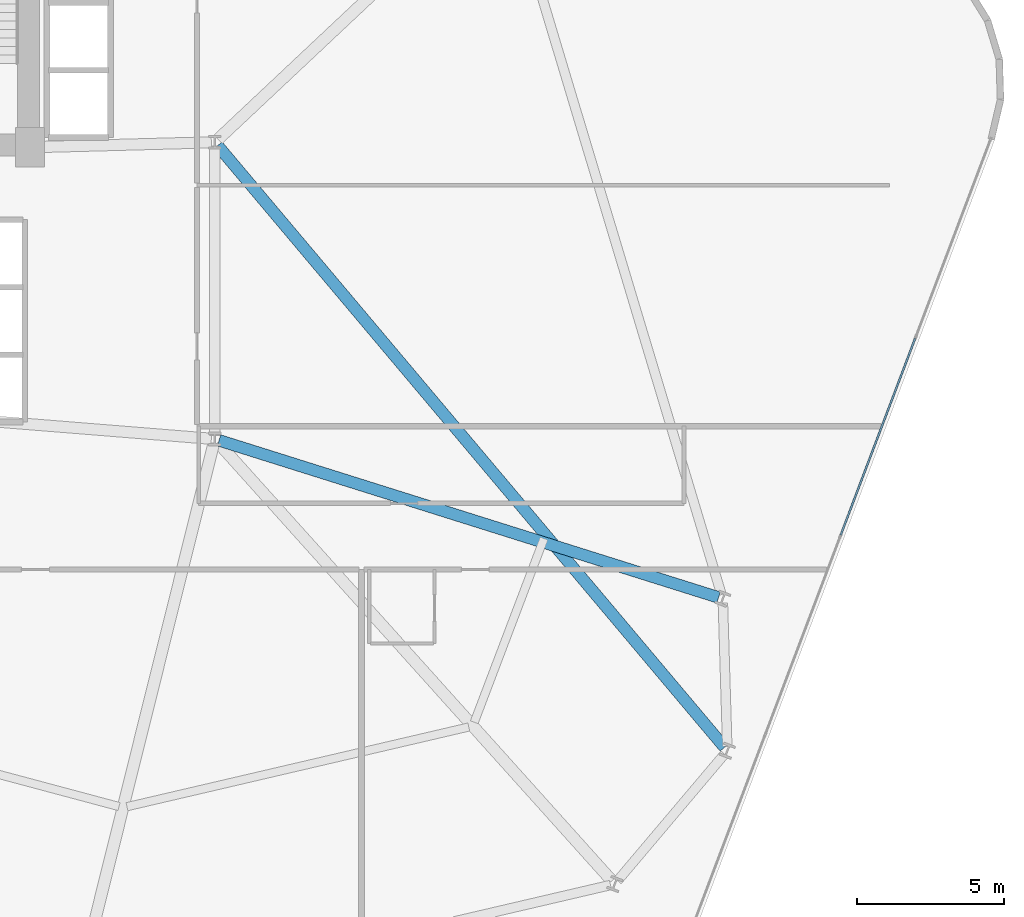
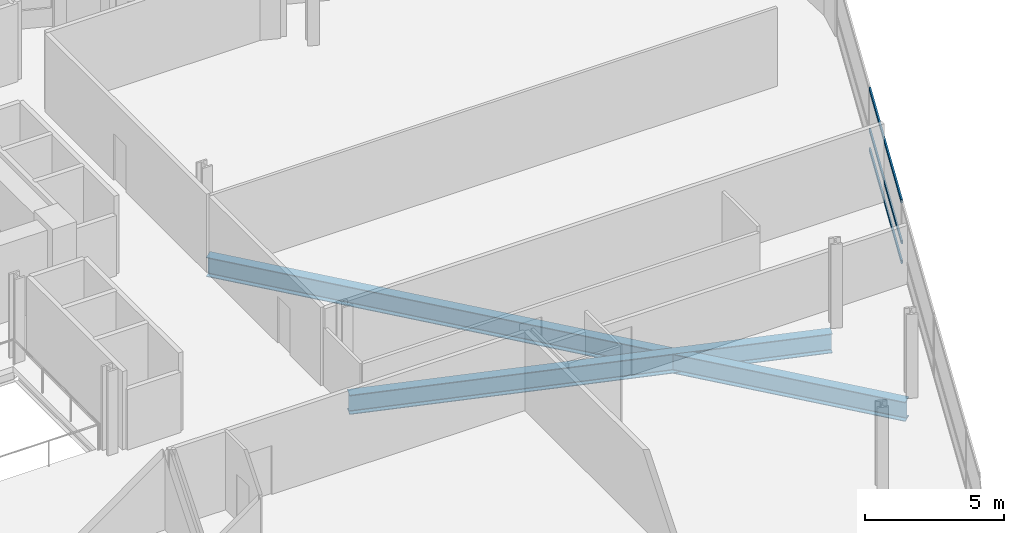
# One storey, part 12 of 24: 3 members, 2 beams, 1 element without a shape of its own.
"""IFC4 building model written with IfcOpenShell, lengths in metres."""

from ifc_helpers import new_model, si_unit, direction, frame, origin, origin_2d, place, context, subcontext, project, spatial, hollow_rectangle, i_section, extrude, material, layer, layer_set, material_profile, profile_set, type_object, element, aggregate, save


model = new_model("IFC4")

# Units and contexts
model_context = context("Model", 3, precision=1e-05, world=origin(), true_north=direction((0.0, 1.0)))
body_context = subcontext(model_context, "Body", "Model", "MODEL_VIEW")
ifc_project = project(units=[si_unit("LENGTHUNIT", "METRE"), si_unit("AREAUNIT", "SQUARE_METRE"), si_unit("VOLUMEUNIT", "CUBIC_METRE"), si_unit("PLANEANGLEUNIT", "RADIAN"), si_unit("MASSUNIT", "GRAM", prefix="KILO")], contexts=[model_context])

# Site, building, storey
site_placement = place(None, origin())
site = spatial("IfcSite", under=ifc_project, at=site_placement, CompositionType="ELEMENT")
building_placement = place(site_placement, origin())
building = spatial("IfcBuilding", under=site, at=building_placement, Name="Varnelok Gate Tower", CompositionType="ELEMENT")
storey_placement = place(building_placement, frame((0.0, 0.0, 94.699951171875)))
storey = spatial("IfcBuildingStorey", under=building, at=storey_placement, Name="L23", CompositionType="ELEMENT", Elevation=94.699951171875)

# Beams
ifc_material_1 = material(Name="Structural Steel ASTM A992 Grade 50", Category="steel")
ifc_material_profile_1 = material_profile(ifc_material_1, i_section(OverallWidth=0.39892578125, OverallDepth=0.85498046875, WebThickness=0.018310546875, FlangeThickness=0.029296875, FilletRadius=0.02392578125, at=origin_2d()), Name="W33X201")
ifc_profile_set_1 = profile_set([ifc_material_profile_1], Name="Structural Steel ASTM A992 Grade 50")
beam_type = type_object("IfcBeamType", Name="BM-PRI-W33X201", PredefinedType="BEAM", material=ifc_profile_set_1)
beam_1_placement = place(storey_placement, frame((54.0966796875, 28.805419921875, -0.677490234375), z_axis=(0.644241110533, -0.764822457502, 0.0), x_axis=(0.764822457502, 0.644241110533, 0.0)))
element("IfcBeam", 1, at=beam_1_placement, inside=storey, type_object=beam_type, Name="L23 Radial Floor Girder 7", PredefinedType="BEAM", context=body_context, shape_type="SweptSolid", body=[
    extrude(i_section(OverallWidth=0.39892578125, OverallDepth=0.85498046875, WebThickness=0.018310546875, FlangeThickness=0.029296875, FilletRadius=0.02392578125, at=origin_2d()), origin(), (0.0, 0.0, 1.0), 26.8271484375),
])
beam_2_placement = place(storey_placement, frame((54.14306640625, 18.7548828125, -0.677490234375), z_axis=(0.953948561039, -0.299970236678, 0.0), x_axis=(0.299970236678, 0.953948561039, 0.0)))
element("IfcBeam", 2, at=beam_2_placement, inside=storey, type_object=beam_type, Name="L23 Radial Floor Girder 8", PredefinedType="BEAM", context=body_context, shape_type="SweptSolid", body=[
    extrude(i_section(OverallWidth=0.39892578125, OverallDepth=0.85498046875, WebThickness=0.018310546875, FlangeThickness=0.029296875, FilletRadius=0.02392578125, at=origin_2d()), origin(), (0.0, 0.0, 1.0), 17.85498046875),
])

# Curtain wall, members
ifc_material_2 = material(Name="Anodized Aluminum Alloy 6063-T6", Category="aluminium")
ifc_layer = layer(ifc_material_2, 0.179931640625)
ifc_layer_set = layer_set([ifc_layer], Name="Anodized Aluminum Alloy 6063-T6")
curtain_wall_type = type_object("IfcCurtainWallType", Name="CW3-HOTEL-VISION", PredefinedType="USERDEFINED", material=ifc_layer_set)
curtain_wall_placement = place(storey_placement, origin())
curtain_wall = element("IfcCurtainWall", 3, at=curtain_wall_placement, inside=storey, type_object=curtain_wall_type, Name="L23 East End Vision Curtain Wall", ObjectType="UNITISED CURTAIN WALL", PredefinedType="USERDEFINED")
ifc_material_profile_2 = material_profile(ifc_material_2, hollow_rectangle(XDim=0.06494140625, YDim=0.159912109375, WallThickness=0.00390625, at=origin_2d()), Name="ALU160X65X4")
ifc_profile_set_2 = profile_set([ifc_material_profile_2], Name="Anodized Aluminum Alloy 6063-T6")
member_type = type_object("IfcMemberType", Name="CW-TRAN-160", PredefinedType="USERDEFINED", material=ifc_profile_set_2)
member_1_placement = place(storey_placement, frame((77.8798828125, 22.233642578125, 0.032470703125), z_axis=(-0.354048963644, -0.935226887628, 0.0), x_axis=(0.935226887628, -0.354048963644, 0.0)))
member_1 = element("IfcMember", 4, at=member_1_placement, type_object=member_type, Name="CW3 transom 2.1", ObjectType="TRANSOM", PredefinedType="USERDEFINED", context=body_context, shape_type="SweptSolid", body=[
    extrude(hollow_rectangle(XDim=0.06494140625, YDim=0.159912109375, WallThickness=0.00390625, at=origin_2d()), origin(), (0.0, 0.0, 1.0), 7.175048828125),
])
member_2_placement = place(storey_placement, frame((77.8798828125, 22.233642578125, 0.900146484375), z_axis=(-0.354048963644, -0.935226887628, 0.0), x_axis=(0.935226887628, -0.354048963644, 0.0)))
member_2 = element("IfcMember", 5, at=member_2_placement, type_object=member_type, Name="CW3 transom 2.2", ObjectType="TRANSOM", PredefinedType="USERDEFINED", context=body_context, shape_type="SweptSolid", body=[
    extrude(hollow_rectangle(XDim=0.06494140625, YDim=0.159912109375, WallThickness=0.00390625, at=origin_2d()), origin(), (0.0, 0.0, 1.0), 7.175048828125),
])
member_3_placement = place(storey_placement, frame((77.8798828125, 22.233642578125, 2.697509765625), z_axis=(-0.354048963644, -0.935226887628, 0.0), x_axis=(0.935226887628, -0.354048963644, 0.0)))
member_3 = element("IfcMember", 6, at=member_3_placement, type_object=member_type, Name="CW3 transom 2.3", ObjectType="TRANSOM", PredefinedType="USERDEFINED", context=body_context, shape_type="SweptSolid", body=[
    extrude(hollow_rectangle(XDim=0.06494140625, YDim=0.159912109375, WallThickness=0.00390625, at=origin_2d()), origin(), (0.0, 0.0, 1.0), 7.175048828125),
])
aggregate(curtain_wall, [member_1, member_2, member_3])

save(model, "model.ifc")
